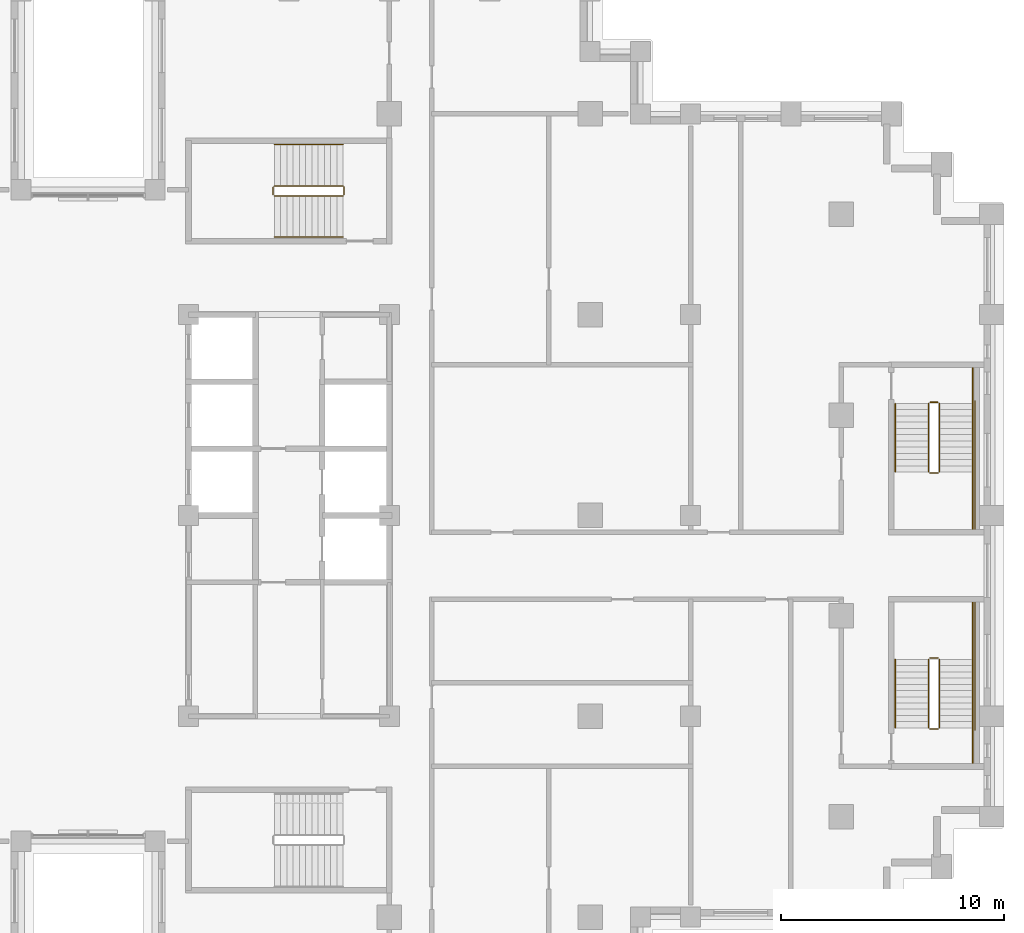
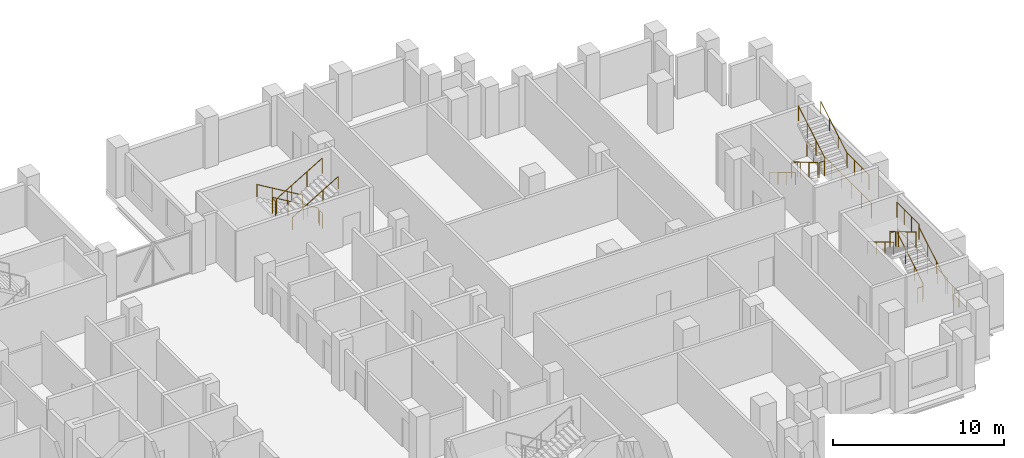
# One storey, part 16 of 16: 3 railings.
"""IFC4 building model written with IfcOpenShell, lengths in metres."""

from ifc_helpers import new_model, si_unit, direction, frame, origin, origin_2d, place, context, subcontext, project, spatial, circle, extrude, material, type_object, element, save


model = new_model("IFC4")

# Units and contexts
model_context = context("Model", 3, precision=1e-05, world=origin(), true_north=direction((0.0, 1.0)))
body_context = subcontext(model_context, "Body", "Model", "MODEL_VIEW")
ifc_project = project(units=[si_unit("LENGTHUNIT", "METRE"), si_unit("AREAUNIT", "SQUARE_METRE"), si_unit("VOLUMEUNIT", "CUBIC_METRE"), si_unit("PLANEANGLEUNIT", "RADIAN"), si_unit("MASSUNIT", "GRAM", prefix="KILO")], contexts=[model_context])

# Site, building, storey
site_placement = place(None, origin())
site = spatial("IfcSite", under=ifc_project, at=site_placement, CompositionType="ELEMENT")
building_placement = place(site_placement, origin())
building = spatial("IfcBuilding", under=site, at=building_placement, Name="Corbelhall Arena Tower", CompositionType="ELEMENT")
storey_placement = place(building_placement, frame((0.0, 0.0, 174.0)))
storey = spatial("IfcBuildingStorey", under=building, at=storey_placement, Name="L35", CompositionType="ELEMENT", Elevation=174.0)

# Railings
ifc_material = material(Name="Steel ASTM A500 Gr C", Category="steel")
railing_type = type_object("IfcRailingType", Name="IN-GD-1100", PredefinedType="GUARDRAIL", material=ifc_material)
railing_1_placement = place(storey_placement, frame((11.425048828125, 14.77490234375, 0.166748046875)))
element("IfcRailing", 1, at=railing_1_placement, inside=storey, type_object=railing_type, Name="L35 ST3 stair guards and handrails", PredefinedType="GUARDRAIL", context=body_context, shape_type="SweptSolid", body=[
    extrude(circle(Radius=0.02392578125, at=origin_2d()), frame((0.0, 0.0, 1.076171875), z_axis=(-0.859308565015, 0.0, 0.511457515432), x_axis=(0.0, -1.0, 0.0)), (0.0, 0.0, 1.0), 3.58447265625),
    extrude(circle(Radius=0.02392578125, at=origin_2d()), frame((-3.130126953125, -0.0498046875, 2.9091796875), z_axis=(0.0, -1.0, 0.0), x_axis=(1.0, 0.0, 0.0)), (0.0, 0.0, 1.0), 0.35009765625),
    extrude(circle(Radius=0.02392578125, at=origin_2d()), frame((-3.080078125, -0.449951171875, 3.076171875), z_axis=(0.859308565015, 0.0, 0.511457515432), x_axis=(0.0, 1.0, 0.0)), (0.0, 0.0, 1.0), 3.58447265625),
    extrude(circle(Radius=0.02392578125, at=origin_2d()), frame((0.050048828125, -0.0498046875, 0.9091796875), z_axis=(0.0, -1.0, 0.0), x_axis=(1.0, 0.0, 0.0)), (0.0, 0.0, 1.0), 0.35009765625),
    extrude(circle(Radius=0.02392578125, at=origin_2d()), frame((0.0, 1.85009765625, 0.8759765625), z_axis=(-0.859308565015, 0.0, 0.511457515432), x_axis=(0.0, -1.0, 0.0)), (0.0, 0.0, 1.0), 3.58447265625),
    extrude(circle(Radius=0.02392578125, at=origin_2d()), frame((-3.080078125, -2.2998046875, 2.8759765625), z_axis=(0.859308565015, 0.0, 0.511457515432), x_axis=(0.0, 1.0, 0.0)), (0.0, 0.0, 1.0), 3.58447265625),
    extrude(circle(Radius=0.02099609375, at=origin_2d()), origin(), (0.0, 0.0, 1.0), 1.052001953125),
    extrude(circle(Radius=0.02099609375, at=origin_2d()), frame((-1.026611328125, 0.0, 0.611083984375)), (0.0, 0.0, 1.0), 1.052001953125),
    extrude(circle(Radius=0.02099609375, at=origin_2d()), frame((-2.053466796875, 0.0, 1.22216796875)), (0.0, 0.0, 1.0), 1.052001953125),
    extrude(circle(Radius=0.02099609375, at=origin_2d()), frame((-3.080078125, 0.0, 1.833251953125)), (0.0, 0.0, 1.0), 1.052001953125),
    extrude(circle(Radius=0.02099609375, at=origin_2d()), frame((-3.130126953125, -0.0498046875, 1.833251953125)), (0.0, 0.0, 1.0), 1.052001953125),
    extrude(circle(Radius=0.02099609375, at=origin_2d()), frame((-3.130126953125, -0.39990234375, 1.833251953125)), (0.0, 0.0, 1.0), 1.052001953125),
    extrude(circle(Radius=0.02099609375, at=origin_2d()), frame((-3.080078125, -0.449951171875, 2.0)), (0.0, 0.0, 1.0), 1.052001953125),
    extrude(circle(Radius=0.02099609375, at=origin_2d()), frame((-2.053466796875, -0.449951171875, 2.611083984375)), (0.0, 0.0, 1.0), 1.052001953125),
    extrude(circle(Radius=0.02099609375, at=origin_2d()), frame((-1.026611328125, -0.449951171875, 3.22216796875)), (0.0, 0.0, 1.0), 1.052001953125),
    extrude(circle(Radius=0.02099609375, at=origin_2d()), frame((0.0, -0.449951171875, 3.833251953125)), (0.0, 0.0, 1.0), 1.052001953125),
    extrude(circle(Radius=0.02099609375, at=origin_2d()), frame((0.050048828125, -0.0498046875, -0.166748046875)), (0.0, 0.0, 1.0), 1.052001953125),
    extrude(circle(Radius=0.02099609375, at=origin_2d()), frame((0.050048828125, -0.39990234375, -0.166748046875)), (0.0, 0.0, 1.0), 1.052001953125),
    extrude(circle(Radius=0.02099609375, at=origin_2d()), frame((0.0, 1.85009765625, 0.0)), (0.0, 0.0, 1.0), 0.851806640625),
    extrude(circle(Radius=0.02099609375, at=origin_2d()), frame((-1.026611328125, 1.85009765625, 0.611083984375)), (0.0, 0.0, 1.0), 0.851806640625),
    extrude(circle(Radius=0.02099609375, at=origin_2d()), frame((-2.053466796875, 1.85009765625, 1.22216796875)), (0.0, 0.0, 1.0), 0.851806640625),
    extrude(circle(Radius=0.02099609375, at=origin_2d()), frame((-3.080078125, 1.85009765625, 1.833251953125)), (0.0, 0.0, 1.0), 0.851806640625),
    extrude(circle(Radius=0.02099609375, at=origin_2d()), frame((-3.080078125, -2.2998046875, 2.0)), (0.0, 0.0, 1.0), 0.851806640625),
    extrude(circle(Radius=0.02099609375, at=origin_2d()), frame((-2.053466796875, -2.2998046875, 2.611083984375)), (0.0, 0.0, 1.0), 0.851806640625),
    extrude(circle(Radius=0.02099609375, at=origin_2d()), frame((-1.026611328125, -2.2998046875, 3.22216796875)), (0.0, 0.0, 1.0), 0.851806640625),
    extrude(circle(Radius=0.02099609375, at=origin_2d()), frame((0.0, -2.2998046875, 3.833251953125)), (0.0, 0.0, 1.0), 0.851806640625),
])
railing_2_placement = place(storey_placement, frame((38.14990234375, -9.52490234375, 0.166748046875)))
element("IfcRailing", 2, at=railing_2_placement, inside=storey, type_object=railing_type, Name="L35 SD1 stair guards and handrails", PredefinedType="GUARDRAIL", context=body_context, shape_type="SweptSolid", body=[
    extrude(circle(Radius=0.02392578125, at=origin_2d()), frame((0.0, 0.0, 1.076171875), z_axis=(0.0, 0.859290745958, 0.51148745235), x_axis=(-1.0, 0.0, 0.0)), (0.0, 0.0, 1.0), 3.584228515625),
    extrude(circle(Radius=0.02392578125, at=origin_2d()), frame((-0.0498046875, 3.1298828125, 2.9091796875), z_axis=(-1.0, 0.0, 0.0), x_axis=(0.0, -1.0, 0.0)), (0.0, 0.0, 1.0), 0.375),
    extrude(circle(Radius=0.02392578125, at=origin_2d()), frame((1.5, 3.079833984375, 2.9091796875), z_axis=(0.0, 1.0, 0.0), x_axis=(-1.0, 0.0, 0.0)), (0.0, 0.0, 1.0), 2.570068359375),
    extrude(circle(Radius=0.02392578125, at=origin_2d()), frame((-0.474853515625, 3.079833984375, 3.076171875), z_axis=(0.0, -0.859290745958, 0.51148745235), x_axis=(1.0, 0.0, 0.0)), (0.0, 0.0, 1.0), 3.584228515625),
    extrude(circle(Radius=0.02392578125, at=origin_2d()), frame((-0.0498046875, -0.050048828125, 0.9091796875), z_axis=(-1.0, 0.0, 0.0), x_axis=(0.0, -1.0, 0.0)), (0.0, 0.0, 1.0), 0.375),
    extrude(circle(Radius=0.02392578125, at=origin_2d()), frame((1.5, -1.60009765625, 0.9091796875), z_axis=(0.0, 1.0, 0.0), x_axis=(-1.0, 0.0, 0.0)), (0.0, 0.0, 1.0), 1.60009765625),
    extrude(circle(Radius=0.02392578125, at=origin_2d()), frame((1.60009765625, -0.10009765625, 0.9091796875), z_axis=(0.0, 1.0, 0.0), x_axis=(-1.0, 0.0, 0.0)), (0.0, 0.0, 1.0), 5.85009765625),
    extrude(circle(Radius=0.02392578125, at=origin_2d()), frame((1.5, 0.0, 0.8759765625), z_axis=(0.0, 0.859290745958, 0.51148745235), x_axis=(-1.0, 0.0, 0.0)), (0.0, 0.0, 1.0), 3.584228515625),
    extrude(circle(Radius=0.02392578125, at=origin_2d()), frame((-1.974853515625, 3.079833984375, 2.8759765625), z_axis=(0.0, -0.859290745958, 0.51148745235), x_axis=(1.0, 0.0, 0.0)), (0.0, 0.0, 1.0), 3.584228515625),
    extrude(circle(Radius=0.02099609375, at=origin_2d()), origin(), (0.0, 0.0, 1.0), 1.052001953125),
    extrude(circle(Radius=0.02099609375, at=origin_2d()), frame((0.0, 1.026611328125, 0.611083984375)), (0.0, 0.0, 1.0), 1.052001953125),
    extrude(circle(Radius=0.02099609375, at=origin_2d()), frame((0.0, 2.05322265625, 1.22216796875)), (0.0, 0.0, 1.0), 1.052001953125),
    extrude(circle(Radius=0.02099609375, at=origin_2d()), frame((0.0, 3.079833984375, 1.833251953125)), (0.0, 0.0, 1.0), 1.052001953125),
    extrude(circle(Radius=0.02099609375, at=origin_2d()), frame((-0.0498046875, 3.1298828125, 1.833251953125)), (0.0, 0.0, 1.0), 1.052001953125),
    extrude(circle(Radius=0.02099609375, at=origin_2d()), frame((-0.4248046875, 3.1298828125, 1.833251953125)), (0.0, 0.0, 1.0), 1.052001953125),
    extrude(circle(Radius=0.02099609375, at=origin_2d()), frame((1.5, 3.079833984375, 1.833251953125)), (0.0, 0.0, 1.0), 1.052001953125),
    extrude(circle(Radius=0.02099609375, at=origin_2d()), frame((1.5, 3.9365234375, 1.833251953125)), (0.0, 0.0, 1.0), 1.052001953125),
    extrude(circle(Radius=0.02099609375, at=origin_2d()), frame((1.5, 4.793212890625, 1.833251953125)), (0.0, 0.0, 1.0), 1.052001953125),
    extrude(circle(Radius=0.02099609375, at=origin_2d()), frame((1.5, 5.64990234375, 1.833251953125)), (0.0, 0.0, 1.0), 1.052001953125),
    extrude(circle(Radius=0.02099609375, at=origin_2d()), frame((-0.474853515625, 3.079833984375, 2.0)), (0.0, 0.0, 1.0), 1.052001953125),
    extrude(circle(Radius=0.02099609375, at=origin_2d()), frame((-0.474853515625, 2.05322265625, 2.611083984375)), (0.0, 0.0, 1.0), 1.052001953125),
    extrude(circle(Radius=0.02099609375, at=origin_2d()), frame((-0.474853515625, 1.026611328125, 3.22216796875)), (0.0, 0.0, 1.0), 1.052001953125),
    extrude(circle(Radius=0.02099609375, at=origin_2d()), frame((-0.474853515625, 0.0, 3.833251953125)), (0.0, 0.0, 1.0), 1.052001953125),
    extrude(circle(Radius=0.02099609375, at=origin_2d()), frame((-0.0498046875, -0.050048828125, -0.166748046875)), (0.0, 0.0, 1.0), 1.052001953125),
    extrude(circle(Radius=0.02099609375, at=origin_2d()), frame((-0.4248046875, -0.050048828125, -0.166748046875)), (0.0, 0.0, 1.0), 1.052001953125),
    extrude(circle(Radius=0.02099609375, at=origin_2d()), frame((1.5, -1.60009765625, -0.166748046875)), (0.0, 0.0, 1.0), 1.052001953125),
    extrude(circle(Radius=0.02099609375, at=origin_2d()), frame((1.5, -0.800048828125, -0.166748046875)), (0.0, 0.0, 1.0), 1.052001953125),
    extrude(circle(Radius=0.02099609375, at=origin_2d()), frame((1.5, 0.0, -0.166748046875)), (0.0, 0.0, 1.0), 1.052001953125),
    extrude(circle(Radius=0.02099609375, at=origin_2d()), frame((1.60009765625, -0.10009765625, -0.166748046875)), (0.0, 0.0, 1.0), 1.052001953125),
    extrude(circle(Radius=0.02099609375, at=origin_2d()), frame((1.60009765625, 1.06982421875, -0.166748046875)), (0.0, 0.0, 1.0), 1.052001953125),
    extrude(circle(Radius=0.02099609375, at=origin_2d()), frame((1.60009765625, 2.239990234375, -0.166748046875)), (0.0, 0.0, 1.0), 1.052001953125),
    extrude(circle(Radius=0.02099609375, at=origin_2d()), frame((1.60009765625, 3.409912109375, -0.166748046875)), (0.0, 0.0, 1.0), 1.052001953125),
    extrude(circle(Radius=0.02099609375, at=origin_2d()), frame((1.60009765625, 4.580078125, -0.166748046875)), (0.0, 0.0, 1.0), 1.052001953125),
    extrude(circle(Radius=0.02099609375, at=origin_2d()), frame((1.60009765625, 5.75, -0.166748046875)), (0.0, 0.0, 1.0), 1.052001953125),
    extrude(circle(Radius=0.02099609375, at=origin_2d()), frame((1.5, 0.0, 0.0)), (0.0, 0.0, 1.0), 0.851806640625),
    extrude(circle(Radius=0.02099609375, at=origin_2d()), frame((1.5, 1.026611328125, 0.611083984375)), (0.0, 0.0, 1.0), 0.851806640625),
    extrude(circle(Radius=0.02099609375, at=origin_2d()), frame((1.5, 2.05322265625, 1.22216796875)), (0.0, 0.0, 1.0), 0.851806640625),
    extrude(circle(Radius=0.02099609375, at=origin_2d()), frame((-1.974853515625, 3.079833984375, 2.0)), (0.0, 0.0, 1.0), 0.851806640625),
    extrude(circle(Radius=0.02099609375, at=origin_2d()), frame((-1.974853515625, 2.05322265625, 2.611083984375)), (0.0, 0.0, 1.0), 0.851806640625),
    extrude(circle(Radius=0.02099609375, at=origin_2d()), frame((-1.974853515625, 1.026611328125, 3.22216796875)), (0.0, 0.0, 1.0), 0.851806640625),
    extrude(circle(Radius=0.02099609375, at=origin_2d()), frame((-1.974853515625, 0.0, 3.833251953125)), (0.0, 0.0, 1.0), 0.851806640625),
])
railing_3_placement = place(storey_placement, frame((37.675048828125, 5.02490234375, 0.166748046875)))
element("IfcRailing", 3, at=railing_3_placement, inside=storey, type_object=railing_type, Name="L35 SD2 stair guards and handrails", PredefinedType="GUARDRAIL", context=body_context, shape_type="SweptSolid", body=[
    extrude(circle(Radius=0.02392578125, at=origin_2d()), frame((0.0, 0.0, 1.076171875), z_axis=(0.0, -0.859290745958, 0.51148745235), x_axis=(1.0, 0.0, 0.0)), (0.0, 0.0, 1.0), 3.584228515625),
    extrude(circle(Radius=0.02392578125, at=origin_2d()), frame((0.050048828125, -3.1298828125, 2.9091796875), z_axis=(1.0, 0.0, 0.0), x_axis=(0.0, 1.0, 0.0)), (0.0, 0.0, 1.0), 0.375),
    extrude(circle(Radius=0.02392578125, at=origin_2d()), frame((1.974853515625, -3.079833984375, 2.9091796875), z_axis=(0.0, -1.0, 0.0), x_axis=(1.0, 0.0, 0.0)), (0.0, 0.0, 1.0), 2.570068359375),
    extrude(circle(Radius=0.02392578125, at=origin_2d()), frame((0.474853515625, -3.079833984375, 3.076171875), z_axis=(0.0, 0.859290745958, 0.51148745235), x_axis=(-1.0, 0.0, 0.0)), (0.0, 0.0, 1.0), 3.584228515625),
    extrude(circle(Radius=0.02392578125, at=origin_2d()), frame((0.050048828125, 0.050048828125, 0.9091796875), z_axis=(1.0, 0.0, 0.0), x_axis=(0.0, 1.0, 0.0)), (0.0, 0.0, 1.0), 0.375),
    extrude(circle(Radius=0.02392578125, at=origin_2d()), frame((1.974853515625, 1.60009765625, 0.9091796875), z_axis=(0.0, -1.0, 0.0), x_axis=(1.0, 0.0, 0.0)), (0.0, 0.0, 1.0), 1.60009765625),
    extrude(circle(Radius=0.02392578125, at=origin_2d()), frame((2.074951171875, 0.10009765625, 0.9091796875), z_axis=(0.0, -1.0, 0.0), x_axis=(1.0, 0.0, 0.0)), (0.0, 0.0, 1.0), 5.85009765625),
    extrude(circle(Radius=0.02392578125, at=origin_2d()), frame((-1.5, 0.0, 0.8759765625), z_axis=(0.0, -0.859290745958, 0.51148745235), x_axis=(1.0, 0.0, 0.0)), (0.0, 0.0, 1.0), 3.584228515625),
    extrude(circle(Radius=0.02392578125, at=origin_2d()), frame((1.974853515625, -3.079833984375, 2.8759765625), z_axis=(0.0, 0.859290745958, 0.51148745235), x_axis=(-1.0, 0.0, 0.0)), (0.0, 0.0, 1.0), 3.584228515625),
    extrude(circle(Radius=0.02099609375, at=origin_2d()), origin(), (0.0, 0.0, 1.0), 1.052001953125),
    extrude(circle(Radius=0.02099609375, at=origin_2d()), frame((0.0, -1.026611328125, 0.611083984375)), (0.0, 0.0, 1.0), 1.052001953125),
    extrude(circle(Radius=0.02099609375, at=origin_2d()), frame((0.0, -2.05322265625, 1.22216796875)), (0.0, 0.0, 1.0), 1.052001953125),
    extrude(circle(Radius=0.02099609375, at=origin_2d()), frame((0.0, -3.079833984375, 1.833251953125)), (0.0, 0.0, 1.0), 1.052001953125),
    extrude(circle(Radius=0.02099609375, at=origin_2d()), frame((0.050048828125, -3.1298828125, 1.833251953125)), (0.0, 0.0, 1.0), 1.052001953125),
    extrude(circle(Radius=0.02099609375, at=origin_2d()), frame((0.425048828125, -3.1298828125, 1.833251953125)), (0.0, 0.0, 1.0), 1.052001953125),
    extrude(circle(Radius=0.02099609375, at=origin_2d()), frame((1.974853515625, -3.079833984375, 1.833251953125)), (0.0, 0.0, 1.0), 1.052001953125),
    extrude(circle(Radius=0.02099609375, at=origin_2d()), frame((1.974853515625, -3.9365234375, 1.833251953125)), (0.0, 0.0, 1.0), 1.052001953125),
    extrude(circle(Radius=0.02099609375, at=origin_2d()), frame((1.974853515625, -4.793212890625, 1.833251953125)), (0.0, 0.0, 1.0), 1.052001953125),
    extrude(circle(Radius=0.02099609375, at=origin_2d()), frame((1.974853515625, -5.64990234375, 1.833251953125)), (0.0, 0.0, 1.0), 1.052001953125),
    extrude(circle(Radius=0.02099609375, at=origin_2d()), frame((0.474853515625, -3.079833984375, 2.0)), (0.0, 0.0, 1.0), 1.052001953125),
    extrude(circle(Radius=0.02099609375, at=origin_2d()), frame((0.474853515625, -2.05322265625, 2.611083984375)), (0.0, 0.0, 1.0), 1.052001953125),
    extrude(circle(Radius=0.02099609375, at=origin_2d()), frame((0.474853515625, -1.026611328125, 3.22216796875)), (0.0, 0.0, 1.0), 1.052001953125),
    extrude(circle(Radius=0.02099609375, at=origin_2d()), frame((0.474853515625, 0.0, 3.833251953125)), (0.0, 0.0, 1.0), 1.052001953125),
    extrude(circle(Radius=0.02099609375, at=origin_2d()), frame((0.050048828125, 0.050048828125, -0.166748046875)), (0.0, 0.0, 1.0), 1.052001953125),
    extrude(circle(Radius=0.02099609375, at=origin_2d()), frame((0.425048828125, 0.050048828125, -0.166748046875)), (0.0, 0.0, 1.0), 1.052001953125),
    extrude(circle(Radius=0.02099609375, at=origin_2d()), frame((1.974853515625, 1.60009765625, -0.166748046875)), (0.0, 0.0, 1.0), 1.052001953125),
    extrude(circle(Radius=0.02099609375, at=origin_2d()), frame((1.974853515625, 0.800048828125, -0.166748046875)), (0.0, 0.0, 1.0), 1.052001953125),
    extrude(circle(Radius=0.02099609375, at=origin_2d()), frame((1.974853515625, 0.0, -0.166748046875)), (0.0, 0.0, 1.0), 1.052001953125),
    extrude(circle(Radius=0.02099609375, at=origin_2d()), frame((2.074951171875, 0.10009765625, -0.166748046875)), (0.0, 0.0, 1.0), 1.052001953125),
    extrude(circle(Radius=0.02099609375, at=origin_2d()), frame((2.074951171875, -1.06982421875, -0.166748046875)), (0.0, 0.0, 1.0), 1.052001953125),
    extrude(circle(Radius=0.02099609375, at=origin_2d()), frame((2.074951171875, -2.239990234375, -0.166748046875)), (0.0, 0.0, 1.0), 1.052001953125),
    extrude(circle(Radius=0.02099609375, at=origin_2d()), frame((2.074951171875, -3.409912109375, -0.166748046875)), (0.0, 0.0, 1.0), 1.052001953125),
    extrude(circle(Radius=0.02099609375, at=origin_2d()), frame((2.074951171875, -4.580078125, -0.166748046875)), (0.0, 0.0, 1.0), 1.052001953125),
    extrude(circle(Radius=0.02099609375, at=origin_2d()), frame((2.074951171875, -5.75, -0.166748046875)), (0.0, 0.0, 1.0), 1.052001953125),
    extrude(circle(Radius=0.02099609375, at=origin_2d()), frame((-1.5, 0.0, 0.0)), (0.0, 0.0, 1.0), 0.851806640625),
    extrude(circle(Radius=0.02099609375, at=origin_2d()), frame((-1.5, -1.026611328125, 0.611083984375)), (0.0, 0.0, 1.0), 0.851806640625),
    extrude(circle(Radius=0.02099609375, at=origin_2d()), frame((-1.5, -2.05322265625, 1.22216796875)), (0.0, 0.0, 1.0), 0.851806640625),
    extrude(circle(Radius=0.02099609375, at=origin_2d()), frame((-1.5, -3.079833984375, 1.833251953125)), (0.0, 0.0, 1.0), 0.851806640625),
    extrude(circle(Radius=0.02099609375, at=origin_2d()), frame((1.974853515625, -3.079833984375, 2.0)), (0.0, 0.0, 1.0), 0.851806640625),
    extrude(circle(Radius=0.02099609375, at=origin_2d()), frame((1.974853515625, -2.05322265625, 2.611083984375)), (0.0, 0.0, 1.0), 0.851806640625),
    extrude(circle(Radius=0.02099609375, at=origin_2d()), frame((1.974853515625, -1.026611328125, 3.22216796875)), (0.0, 0.0, 1.0), 0.851806640625),
    extrude(circle(Radius=0.02099609375, at=origin_2d()), frame((1.974853515625, 0.0, 3.833251953125)), (0.0, 0.0, 1.0), 0.851806640625),
])

save(model, "model.ifc")
